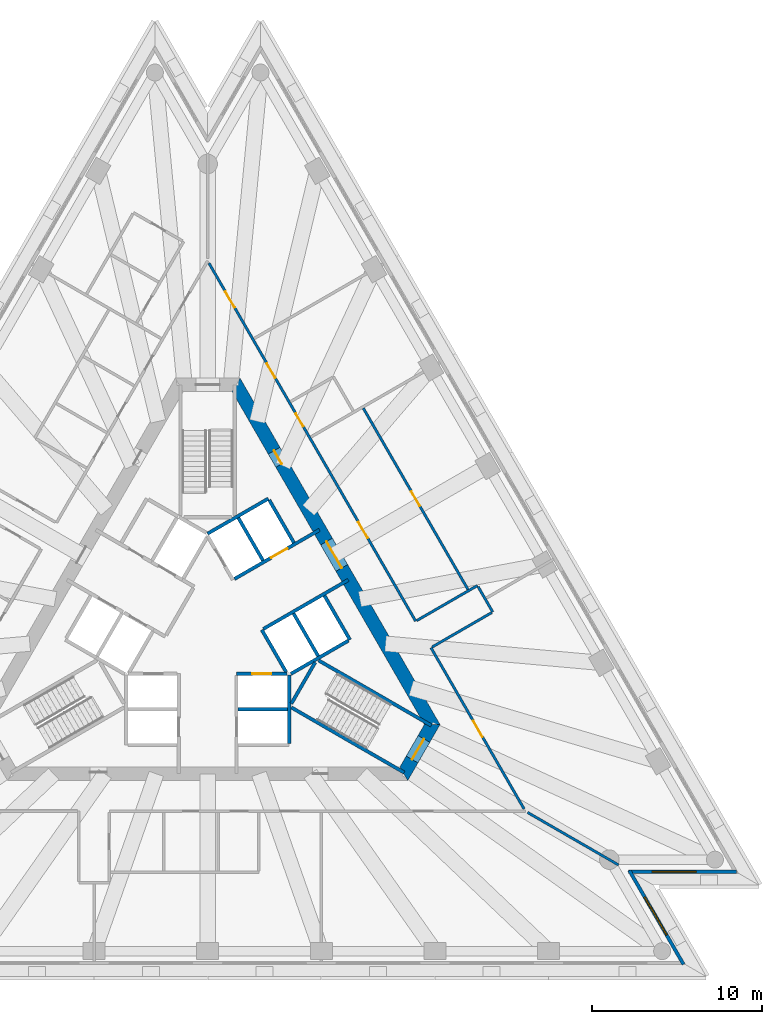
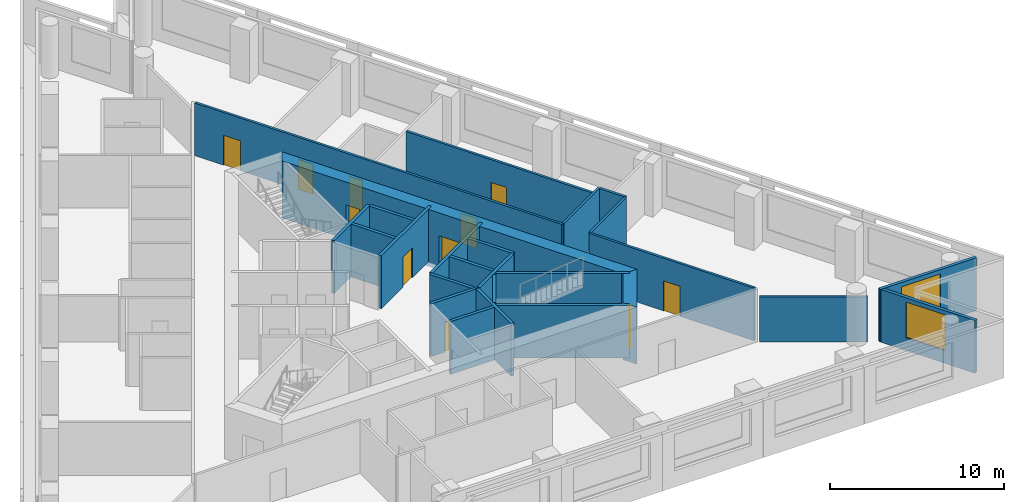
# One storey, part 5 of 9: 26 walls, 11 doors, 2 windows, 13 openings.
"""IFC4 building model written with IfcOpenShell, lengths in metres."""

from ifc_helpers import new_model, si_unit, direction, frame, frame_2d, origin, place, context, subcontext, project, spatial, polyline, rectangle, outline, extrude, material, layer, layer_set, layer_usage, type_object, element, fill, save


model = new_model("IFC4")

# Units and contexts
model_context = context("Model", 3, precision=1e-05, world=origin(), true_north=direction((0.0, 1.0)))
body_context = subcontext(model_context, "Body", "Model", "MODEL_VIEW")
ifc_project = project(units=[si_unit("LENGTHUNIT", "METRE"), si_unit("AREAUNIT", "SQUARE_METRE"), si_unit("VOLUMEUNIT", "CUBIC_METRE"), si_unit("PLANEANGLEUNIT", "RADIAN"), si_unit("MASSUNIT", "GRAM", prefix="KILO")], contexts=[model_context])

# Site, building, storey
site_placement = place(None, origin())
site = spatial("IfcSite", under=ifc_project, at=site_placement, CompositionType="ELEMENT")
building_placement = place(site_placement, origin())
building = spatial("IfcBuilding", under=site, at=building_placement, Name="Triada Interchange Tower", CompositionType="ELEMENT")
storey_placement = place(building_placement, frame((0.0, 0.0, 148.300048828125)))
storey = spatial("IfcBuildingStorey", under=building, at=storey_placement, Name="L34", CompositionType="ELEMENT", Elevation=148.300048828125)

# Wall
ifc_material_1 = material(Name="Concrete C30/37", Category="concrete")
ifc_layer_1 = layer(ifc_material_1, 0.199951171875)
ifc_layer_set_1 = layer_set([ifc_layer_1], Name="CORE WALL 200 EI 120")
wall_type_1 = type_object("IfcWallType", Name="CORE WALL 200 EI 120", PredefinedType="SOLIDWALL", material=ifc_layer_set_1)
wall_1_placement = place(storey_placement, frame((1.800048828125, -4.800048828125, 0.0), z_axis=(0.0, 0.0, 1.0), x_axis=(1.0, 0.0, 0.0)))
element("IfcWall", 1, at=wall_1_placement, inside=storey, type_object=wall_type_1, Name="Wall L32 49", PredefinedType="SOLIDWALL", context=body_context, shape_type="SweptSolid", body=[
    extrude(rectangle(XDim=2.89990234375, YDim=0.199951171875, at=frame_2d((1.449951171875, 0.0))), origin(), (0.0, 0.0, 1.0), 3.699951171875),
])

# Wall, opening, door
wall_2_placement = place(storey_placement, frame((1.702880859375, -2.699951171875, 0.0), z_axis=(0.0, 0.0, 1.0), x_axis=(1.0, 0.0, 0.0)))
wall_2 = element("IfcWall", 2, at=wall_2_placement, inside=storey, type_object=wall_type_1, Name="Wall L32 55", PredefinedType="SOLIDWALL", context=body_context, shape_type="SweptSolid", body=[
    extrude(rectangle(XDim=2.97314453125, YDim=0.199951171875, at=frame_2d((1.486572265625, 0.0))), origin(), (0.0, 0.0, 1.0), 3.699951171875),
])
opening_1_placement = place(wall_2_placement, frame((0.93603515625, 0.0, 0.0)))
opening_1 = element("IfcOpeningElement", 3, at=opening_1_placement, cuts=wall_2, Name="Opening LD-LR1", PredefinedType="OPENING", context=body_context, shape_type="SweptSolid", body=[
    extrude(rectangle(XDim=1.10009765625, YDim=2.10009765625, at=frame_2d((0.550048828125, 1.050048828125))), frame((0.0, 0.10986328125, 0.0), z_axis=(0.0, -1.0, 0.0), x_axis=(1.0, 0.0, 0.0)), (0.0, 0.0, 1.0), 0.219970703125),
])
ifc_material_2 = material(Name="Steel S235 door leaf", Category="steel")
door_type_1 = type_object("IfcDoorType", Name="LIFT LANDING DOOR 1100 EI 120", OperationType="SLIDING_TO_LEFT", PredefinedType="DOOR", material=ifc_material_2)
door_1_placement = place(opening_1_placement, origin())
door_1 = element("IfcDoor", 4, at=door_1_placement, inside=storey, type_object=door_type_1, Name="LR1 landing door L34", OperationType="SLIDING_TO_LEFT", OverallHeight=2.10009765625, OverallWidth=1.10009765625, PredefinedType="DOOR", context=body_context, shape_type="SweptSolid", body=[
    extrude(rectangle(XDim=1.10009765625, YDim=2.10009765625, at=frame_2d((0.550048828125, 1.050048828125))), frame((0.0, 0.02490234375, 0.0), z_axis=(0.0, -1.0, 0.0), x_axis=(1.0, 0.0, 0.0)), (0.0, 0.0, 1.0), 0.050048828125),
])
fill(opening_1, door_1)

# Walls
wall_3_placement = place(storey_placement, frame((-0.001953125, 5.5419921875, 0.0), z_axis=(0.0, 0.0, 1.0), x_axis=(0.866103910842, 0.499863997127, 0.0)))
element("IfcWall", 5, at=wall_3_placement, inside=storey, type_object=wall_type_1, Name="Wall L32 56", PredefinedType="SOLIDWALL", context=body_context, shape_type="SweptSolid", body=[
    extrude(rectangle(XDim=4.131103515625, YDim=0.199951171875, at=frame_2d((2.0654296875, 0.0))), origin(), (0.0, 0.0, 1.0), 3.699951171875),
])
wall_4_placement = place(storey_placement, frame((3.18994140625, -0.125, 0.0), z_axis=(0.0, 0.0, 1.0), x_axis=(0.499988658015, -0.866031951983, 0.0)))
element("IfcWall", 6, at=wall_4_placement, inside=storey, type_object=wall_type_1, Name="Wall L32 58", PredefinedType="SOLIDWALL", context=body_context, shape_type="SweptSolid", body=[
    extrude(rectangle(XDim=2.85791015625, YDim=0.199951171875, at=frame_2d((1.428955078125, 0.0))), origin(), (0.0, 0.0, 1.0), 3.699951171875),
])

# Wall, opening, door
wall_5_placement = place(storey_placement, frame((1.576904296875, 2.8740234375, 0.0), z_axis=(0.0, 0.0, 1.0), x_axis=(0.866073694534, 0.499916348638, 0.0)))
wall_5 = element("IfcWall", 7, at=wall_5_placement, inside=storey, type_object=wall_type_1, Name="Wall L32 59", PredefinedType="SOLIDWALL", context=body_context, shape_type="SweptSolid", body=[
    extrude(rectangle(XDim=5.77685546875, YDim=0.199951171875, at=frame_2d((2.888427734375, 0.0))), origin(), (0.0, 0.0, 1.0), 3.699951171875),
])
opening_2_placement = place(wall_5_placement, frame((2.4970703125, 0.0, 0.0)))
opening_2 = element("IfcOpeningElement", 8, at=opening_2_placement, cuts=wall_5, Name="Opening LD-LR6", PredefinedType="OPENING", context=body_context, shape_type="SweptSolid", body=[
    extrude(rectangle(XDim=1.10009765625, YDim=2.10009765625, at=frame_2d((0.550048828125, 1.050048828125))), frame((0.0, 0.10986328125, 0.0), z_axis=(0.0, -1.0, 0.0), x_axis=(1.0, 0.0, 0.0)), (0.0, 0.0, 1.0), 0.219970703125),
])
door_2_placement = place(opening_2_placement, origin())
door_2 = element("IfcDoor", 9, at=door_2_placement, inside=storey, type_object=door_type_1, Name="LR6 landing door L34", OperationType="SLIDING_TO_LEFT", OverallHeight=2.10009765625, OverallWidth=1.10009765625, PredefinedType="DOOR", context=body_context, shape_type="SweptSolid", body=[
    extrude(rectangle(XDim=1.10009765625, YDim=2.10009765625, at=frame_2d((0.550048828125, 1.050048828125))), frame((0.0, 0.02490234375, 0.0), z_axis=(0.0, -1.0, 0.0), x_axis=(1.0, 0.0, 0.0)), (0.0, 0.0, 1.0), 0.050048828125),
])
fill(opening_2, door_2)

# Walls
wall_6_placement = place(storey_placement, frame((3.278076171875, -0.071044921875, 0.0), z_axis=(0.0, 0.0, 1.0), x_axis=(0.865929348003, 0.5001663366, 0.0)))
element("IfcWall", 10, at=wall_6_placement, inside=storey, type_object=wall_type_1, Name="Wall L32 61", PredefinedType="SOLIDWALL", context=body_context, shape_type="SweptSolid", body=[
    extrude(rectangle(XDim=5.7763671875, YDim=0.199951171875, at=frame_2d((2.88818359375, 0.0))), origin(), (0.0, 0.0, 1.0), 3.699951171875),
])
wall_7_placement = place(storey_placement, frame((4.800048828125, -6.800048828125, 0.0), z_axis=(0.0, 0.0, 1.0), x_axis=(0.0, 1.0, 0.0)))
element("IfcWall", 11, at=wall_7_placement, inside=storey, type_object=wall_type_1, Name="Wall L32 62", PredefinedType="SOLIDWALL", context=body_context, shape_type="SweptSolid", body=[
    extrude(rectangle(XDim=4.029052734375, YDim=0.199951171875, at=frame_2d((2.0146484375, 0.0))), origin(), (0.0, 0.0, 1.0), 3.699951171875),
])
wall_8_placement = place(storey_placement, frame((3.6259765625, 7.52001953125, 0.0), z_axis=(0.0, 0.0, 1.0), x_axis=(0.500060147554, -0.865990674793, 0.0)))
element("IfcWall", 12, at=wall_8_placement, inside=storey, type_object=wall_type_1, Name="Wall L32 63", PredefinedType="SOLIDWALL", context=body_context, shape_type="SweptSolid", body=[
    extrude(rectangle(XDim=2.899658203125, YDim=0.199951171875, at=frame_2d((1.44970703125, 0.0))), origin(), (0.0, 0.0, 1.0), 3.699951171875),
])
wall_9_placement = place(storey_placement, frame((6.8759765625, 1.89111328125, 0.0), z_axis=(0.0, 0.0, 1.0), x_axis=(0.499990139034, -0.866031096941, 0.0)))
element("IfcWall", 13, at=wall_9_placement, inside=storey, type_object=wall_type_1, Name="Wall L32 64", PredefinedType="SOLIDWALL", context=body_context, shape_type="SweptSolid", body=[
    extrude(rectangle(XDim=3.0, YDim=0.199951171875, at=frame_2d((1.5, 0.0))), origin(), (0.0, 0.0, 1.0), 3.699951171875),
])
for number, where, z_axis, x_axis, name in (
    (14, (1.806884765625, 6.469970703125, 0.0), (0.0, 0.0, 1.0), (0.50012328804, -0.865954211699, 0.0), "Wall L32 65"),
    (15, (5.056884765625, 0.841064453125, 0.0), (0.0, 0.0, 1.0), (0.50012328804, -0.865954211699, 0.0), "Wall L32 66"),
):
    element("IfcWall", number, at=place(storey_placement, frame(where, z_axis=z_axis, x_axis=x_axis)), inside=storey, type_object=wall_type_1, Name=name, PredefinedType="SOLIDWALL", context=body_context, shape_type="SweptSolid", body=[
        extrude(rectangle(XDim=2.899658203125, YDim=0.199951171875, at=frame_2d((1.44970703125, 0.0))), origin(), (0.0, 0.0, 1.0), 3.699951171875),
    ])
wall_10_placement = place(storey_placement, frame((4.89990234375, -2.714111328125, 0.0), z_axis=(0.0, 0.0, 1.0), x_axis=(0.865992350556, 0.500057245502, 0.0)))
element("IfcWall", 16, at=wall_10_placement, inside=storey, type_object=wall_type_1, Name="Wall L32 67", PredefinedType="SOLIDWALL", context=body_context, shape_type="SweptSolid", body=[
    extrude(rectangle(XDim=3.91357421875, YDim=0.199951171875, at=frame_2d((1.956787109375, 0.0))), origin(), (0.0, 0.0, 1.0), 3.699951171875),
])
ifc_layer_2 = layer(ifc_material_1, 0.199951171875)
ifc_layer_set_2 = layer_set([ifc_layer_2], Name="CORE WALL 200 REI 240")
wall_type_2 = type_object("IfcWallType", Name="CORE WALL 200 REI 240", PredefinedType="SOLIDWALL", material=ifc_layer_set_2)
wall_11_placement = place(storey_placement, frame((4.928955078125, -4.693115234375, 0.0), z_axis=(0.0, 0.0, 1.0), x_axis=(0.866005769735, -0.50003400563, 0.0)))
element("IfcWall", 17, at=wall_11_placement, inside=storey, type_object=wall_type_2, Name="Wall L32 89", PredefinedType="SOLIDWALL", context=body_context, shape_type="SweptSolid", body=[
    extrude(rectangle(XDim=7.6650390625, YDim=0.199951171875, at=frame_2d((3.83251953125, 0.0))), origin(), (0.0, 0.0, 1.0), 3.699951171875),
])
wall_12_placement = place(storey_placement, frame((4.928955078125, -4.4619140625, 0.0), z_axis=(0.0, 0.0, 1.0), x_axis=(0.500200581029, 0.865909567298, 0.0)))
element("IfcWall", 18, at=wall_12_placement, inside=storey, type_object=wall_type_2, Name="Wall L32 90", PredefinedType="SOLIDWALL", context=body_context, shape_type="SweptSolid", body=[
    extrude(rectangle(XDim=2.799072265625, YDim=0.199951171875, at=frame_2d((1.3994140625, 0.0))), origin(), (0.0, 0.0, 1.0), 3.699951171875),
])
wall_13_placement = place(storey_placement, frame((6.529052734375, -1.922119140625, 0.0), z_axis=(0.0, 0.0, 1.0), x_axis=(0.866060938598, -0.499938446846, 0.0)))
element("IfcWall", 19, at=wall_13_placement, inside=storey, type_object=wall_type_2, Name="Wall L32 91", PredefinedType="SOLIDWALL", context=body_context, shape_type="SweptSolid", body=[
    extrude(rectangle(XDim=7.66455078125, YDim=0.199951171875, at=frame_2d((3.832275390625, 0.0))), origin(), (0.0, 0.0, 1.0), 3.699951171875),
])

# Wall, opening, door
ifc_material_3 = material(Name="Concrete C60/75", Category="concrete")
ifc_layer_3 = layer(ifc_material_3, 0.800048828125)
ifc_layer_set_3 = layer_set([ifc_layer_3], Name="Core wall B 800")
wall_type_3 = type_object("IfcWallType", Name="Core wall B 800", PredefinedType="SHEAR", material=ifc_layer_set_3)
wall_14_placement = place(storey_placement, frame((11.547119140625, -8.60009765625, -0.300048828125), z_axis=(0.0, 0.0, 1.0), x_axis=(0.49987182685, 0.866099391942, 0.0)))
wall_14 = element("IfcWall", 20, at=wall_14_placement, inside=storey, type_object=wall_type_3, Name="Core wall WB05 L34", PredefinedType="SHEAR", context=body_context, shape_type="SweptSolid", body=[
    extrude(outline(polyline([(-0.23095703125, -0.39990234375), (1.674072265625, -0.39990234375), (3.5791015625, -0.39990234375), (3.117919921875, 0.39990234375), (1.67431640625, 0.39990234375), (0.23095703125, 0.39990234375), (-0.23095703125, -0.39990234375)])), origin(), (0.0, 0.0, 1.0), 4.0),
])
opening_3_placement = place(wall_14_placement, frame((0.97412109375, 0.0, 0.300048828125)))
opening_3 = element("IfcOpeningElement", 21, at=opening_3_placement, cuts=wall_14, Name="Opening D32-37", PredefinedType="OPENING", context=body_context, shape_type="SweptSolid", body=[
    extrude(rectangle(XDim=1.39990234375, YDim=2.10009765625, at=frame_2d((0.699951171875, 1.050048828125))), frame((0.0, 0.409912109375, 0.0), z_axis=(0.0, -1.0, 0.0), x_axis=(1.0, 0.0, 0.0)), (0.0, 0.0, 1.0), 0.820068359375),
])
door_type_2 = type_object("IfcDoorType", Name="STAIR DOOR 1400 EI2 90-C5S200", OperationType="DOUBLE_DOOR_SINGLE_SWING", PredefinedType="DOOR", material=ifc_material_2)
door_3_placement = place(opening_3_placement, origin())
door_3 = element("IfcDoor", 22, at=door_3_placement, inside=storey, type_object=door_type_2, Name="Door D32-37 L34", OperationType="DOUBLE_DOOR_SINGLE_SWING", OverallHeight=2.10009765625, OverallWidth=1.39990234375, PredefinedType="DOOR", context=body_context, shape_type="SweptSolid", body=[
    extrude(rectangle(XDim=1.39990234375, YDim=2.10009765625, at=frame_2d((0.699951171875, 1.050048828125))), frame((0.0, 0.02490234375, 0.0), z_axis=(0.0, -1.0, 0.0), x_axis=(1.0, 0.0, 0.0)), (0.0, 0.0, 1.0), 0.050048828125),
])
fill(opening_3, door_3)

# Wall, openings, doors
wall_15_placement = place(storey_placement, frame((13.220947265625, -5.699951171875, -0.300048828125), z_axis=(0.0, 0.0, 1.0), x_axis=(-0.499995765644, 0.866027848477, 0.0)))
wall_15 = element("IfcWall", 23, at=wall_15_placement, inside=storey, type_object=wall_type_3, Name="Core wall WB06 L34", PredefinedType="SHEAR", context=body_context, shape_type="SweptSolid", body=[
    extrude(outline(polyline([(-0.23095703125, -0.39990234375), (1.73193359375, -0.39990234375), (3.695068359375, -0.39990234375), (5.657958984375, -0.39990234375), (7.62109375, -0.39990234375), (9.583984375, -0.39990234375), (11.546875, -0.39990234375), (13.510009765625, -0.39990234375), (15.472900390625, -0.39990234375), (17.43603515625, -0.39990234375), (19.39892578125, -0.39990234375), (21.362060546875, -0.39990234375), (23.324951171875, -0.39990234375), (22.863037109375, 0.39990234375), (20.97705078125, 0.39990234375), (19.091064453125, 0.39990234375), (17.205078125, 0.39990234375), (15.319091796875, 0.39990234375), (13.43310546875, 0.39990234375), (11.546875, 0.39990234375), (9.660888671875, 0.39990234375), (7.77490234375, 0.39990234375), (5.888916015625, 0.39990234375), (4.0029296875, 0.39990234375), (2.116943359375, 0.39990234375), (0.23095703125, 0.39990234375), (-0.23095703125, -0.39990234375)])), origin(), (0.0, 0.0, 1.0), 4.0),
])
opening_4_placement = place(wall_15_placement, frame((10.64697265625, 0.0, 0.300048828125)))
opening_4 = element("IfcOpeningElement", 24, at=opening_4_placement, cuts=wall_15, Name="Opening D32-34", PredefinedType="OPENING", context=body_context, shape_type="SweptSolid", body=[
    extrude(rectangle(XDim=1.800048828125, YDim=2.10009765625, at=frame_2d((0.89990234375, 1.050048828125))), frame((0.0, 0.409912109375, 0.0), z_axis=(0.0, -1.0, 0.0), x_axis=(1.0, 0.0, 0.0)), (0.0, 0.0, 1.0), 0.820068359375),
])
opening_5_placement = place(wall_15_placement, frame((17.720947265625, 0.0, 0.300048828125)))
opening_5 = element("IfcOpeningElement", 25, at=opening_5_placement, cuts=wall_15, Name="Opening D32-41", PredefinedType="OPENING", context=body_context, shape_type="SweptSolid", body=[
    extrude(rectangle(XDim=0.89990234375, YDim=2.10009765625, at=frame_2d((0.449951171875, 1.050048828125))), frame((0.0, 0.409912109375, 0.0), z_axis=(0.0, -1.0, 0.0), x_axis=(1.0, 0.0, 0.0)), (0.0, 0.0, 1.0), 0.820068359375),
])
door_type_3 = type_object("IfcDoorType", Name="LOBBY DOOR 1800 EI2 90-C5S200", OperationType="DOUBLE_DOOR_SINGLE_SWING", PredefinedType="DOOR", material=ifc_material_2)
door_4_placement = place(opening_4_placement, origin())
door_4 = element("IfcDoor", 26, at=door_4_placement, inside=storey, type_object=door_type_3, Name="Door D32-34 L34", OperationType="DOUBLE_DOOR_SINGLE_SWING", OverallHeight=2.10009765625, OverallWidth=1.800048828125, PredefinedType="DOOR", context=body_context, shape_type="SweptSolid", body=[
    extrude(rectangle(XDim=1.800048828125, YDim=2.10009765625, at=frame_2d((0.89990234375, 1.050048828125))), frame((0.0, 0.02490234375, 0.0), z_axis=(0.0, -1.0, 0.0), x_axis=(1.0, 0.0, 0.0)), (0.0, 0.0, 1.0), 0.050048828125),
])
fill(opening_4, door_4)
door_type_4 = type_object("IfcDoorType", Name="SERVICE DOOR 900 EI2 45-C5S200", OperationType="NOTDEFINED", PredefinedType="DOOR", material=ifc_material_2)
door_5_placement = place(opening_5_placement, origin())
door_5 = element("IfcDoor", 27, at=door_5_placement, inside=storey, type_object=door_type_4, Name="Door D32-41 L34", OperationType="SINGLE_SWING_RIGHT", OverallHeight=2.10009765625, OverallWidth=0.89990234375, PredefinedType="DOOR", context=body_context, shape_type="SweptSolid", body=[
    extrude(rectangle(XDim=0.89990234375, YDim=2.10009765625, at=frame_2d((0.449951171875, 1.050048828125))), frame((0.0, 0.02490234375, 0.0), z_axis=(0.0, -1.0, 0.0), x_axis=(1.0, 0.0, 0.0)), (0.0, 0.0, 1.0), 0.050048828125),
])
fill(opening_5, door_5)

# Wall, opening, window
ifc_material_4 = material(Name="Cement board")
ifc_layer_4 = layer(ifc_material_4, 0.02001953125, Name="Cement board cladding")
ifc_material_5 = material(Name="Sheathing board")
ifc_layer_5 = layer(ifc_material_5, 0.014892578125, Name="Sheathing board")
ifc_material_6 = material(Name="Mineral wool")
ifc_layer_6 = layer(ifc_material_6, 0.14990234375, Name="Mineral wool between steel studs")
ifc_material_7 = material(Name="Gypsum board")
ifc_layer_7 = layer(ifc_material_7, 0.014892578125, Name="Plasterboard lining")
ifc_layer_set_4 = layer_set([ifc_layer_4, ifc_layer_5, ifc_layer_6, ifc_layer_7], Name="External wall 200")
ifc_layer_usage = layer_usage(ifc_layer_set_4, "AXIS2", "POSITIVE", -0.10009765625)
wall_type_4 = type_object("IfcWallType", Name="External wall 200", PredefinedType="ELEMENTEDWALL", material=ifc_layer_set_4)
wall_16_placement = place(storey_placement, frame((28.01806640625, -19.81689453125, 0.0), z_axis=(0.0, 0.0, 1.0), x_axis=(-0.499919089554, 0.866072112413, 0.0)))
wall_16 = element("IfcWall", 28, at=wall_16_placement, inside=storey, type_object=wall_type_4, material=ifc_layer_usage, Name="External wall L34 SE-1", PredefinedType="ELEMENTEDWALL", context=body_context, shape_type="SweptSolid", body=[
    extrude(rectangle(XDim=6.376953125, YDim=0.199951171875, at=frame_2d((3.1884765625, 0.0))), origin(), (0.0, 0.0, 1.0), 3.699951171875),
])
opening_6_placement = place(wall_16_placement, frame((1.989990234375, 0.0, 0.89990234375)))
opening_6 = element("IfcOpeningElement", 29, at=opening_6_placement, cuts=wall_16, Name="Opening WB19", PredefinedType="OPENING", context=body_context, shape_type="SweptSolid", body=[
    extrude(rectangle(XDim=2.60009765625, YDim=2.5, at=frame_2d((1.300048828125, 1.25))), frame((0.0, 0.10986328125, 0.0), z_axis=(0.0, -1.0, 0.0), x_axis=(1.0, 0.0, 0.0)), (0.0, 0.0, 1.0), 0.219970703125),
])
ifc_material_8 = material(Name="Double glazed aluminium window", Category="aluminium")
window_type = type_object("IfcWindowType", Name="Ribbon window B pocket", PartitioningType="SINGLE_PANEL", PredefinedType="WINDOW", material=ifc_material_8)
window_1_placement = place(opening_6_placement, origin())
window_1 = element("IfcWindow", 30, at=window_1_placement, inside=storey, type_object=window_type, Name="Window L34 SE-1 1", OverallHeight=2.5, OverallWidth=2.60009765625, PartitioningType="SINGLE_PANEL", PredefinedType="WINDOW", context=body_context, shape_type="SweptSolid", body=[
    extrude(rectangle(XDim=2.60009765625, YDim=2.5, at=frame_2d((1.300048828125, 1.25))), frame((0.0, 0.030029296875, 0.0), z_axis=(0.0, -1.0, 0.0), x_axis=(1.0, 0.0, 0.0)), (0.0, 0.0, 1.0), 0.06005859375),
])
fill(opening_6, window_1)

wall_17_placement = place(storey_placement, frame((24.77490234375, -14.35498046875, 0.0), z_axis=(0.0, 0.0, 1.0), x_axis=(1.0, 0.0, 0.0)))
wall_17 = element("IfcWall", 31, at=wall_17_placement, inside=storey, type_object=wall_type_4, material=ifc_layer_usage, Name="External wall L34 SE-2", PredefinedType="ELEMENTEDWALL", context=body_context, shape_type="SweptSolid", body=[
    extrude(rectangle(XDim=6.3759765625, YDim=0.199951171875, at=frame_2d((3.18798828125, 0.0))), origin(), (0.0, 0.0, 1.0), 3.699951171875),
])
opening_7_placement = place(wall_17_placement, frame((1.389892578125, 0.0, 0.89990234375)))
opening_7 = element("IfcOpeningElement", 32, at=opening_7_placement, cuts=wall_17, Name="Opening WB20", PredefinedType="OPENING", context=body_context, shape_type="SweptSolid", body=[
    extrude(rectangle(XDim=2.60009765625, YDim=2.5, at=frame_2d((1.300048828125, 1.25))), frame((0.0, 0.10986328125, 0.0), z_axis=(0.0, -1.0, 0.0), x_axis=(1.0, 0.0, 0.0)), (0.0, 0.0, 1.0), 0.219970703125),
])
window_2_placement = place(opening_7_placement, origin())
window_2 = element("IfcWindow", 33, at=window_2_placement, inside=storey, type_object=window_type, Name="Window L34 SE-2 1", OverallHeight=2.5, OverallWidth=2.60009765625, PartitioningType="SINGLE_PANEL", PredefinedType="WINDOW", context=body_context, shape_type="SweptSolid", body=[
    extrude(rectangle(XDim=2.60009765625, YDim=2.5, at=frame_2d((1.300048828125, 1.25))), frame((0.0, 0.030029296875, 0.0), z_axis=(0.0, -1.0, 0.0), x_axis=(1.0, 0.0, 0.0)), (0.0, 0.0, 1.0), 0.06005859375),
])
fill(opening_7, window_2)

# Wall
ifc_material_9 = material(Name="Gypsum board partition")
ifc_layer_8 = layer(ifc_material_9, 0.14990234375)
ifc_layer_set_5 = layer_set([ifc_layer_8], Name="PARTITION 150 EI 180")
wall_type_5 = type_object("IfcWallType", Name="PARTITION 150 EI 180", PredefinedType="PARTITIONING", material=ifc_layer_set_5)
wall_18_placement = place(storey_placement, frame((18.8359375, -10.8740234375, 0.0), z_axis=(0.0, 0.0, 1.0), x_axis=(0.865990889316, -0.500059776048, 0.0)))
element("IfcWall", 34, at=wall_18_placement, inside=storey, type_object=wall_type_5, Name="Wall L32 10", PredefinedType="PARTITIONING", context=body_context, shape_type="SweptSolid", body=[
    extrude(rectangle(XDim=6.181396484375, YDim=0.14990234375, at=frame_2d((3.0908203125, 0.0))), origin(), (0.0, 0.0, 1.0), 3.14990234375),
])

# Wall, openings, doors
wall_19_placement = place(storey_placement, frame((0.075927734375, 21.468017578125, 0.0), z_axis=(0.0, 0.0, 1.0), x_axis=(0.499999691263, -0.866025582034, 0.0)))
wall_19 = element("IfcWall", 35, at=wall_19_placement, inside=storey, type_object=wall_type_5, Name="Wall L32 28", PredefinedType="PARTITIONING", context=body_context, shape_type="SweptSolid", body=[
    extrude(rectangle(XDim=24.34228515625, YDim=0.14990234375, at=frame_2d((12.171142578125, 0.0))), origin(), (0.0, 0.0, 1.0), 3.699951171875),
])
opening_8_placement = place(wall_19_placement, frame((17.593994140625, 0.0, 0.0)))
opening_8 = element("IfcOpeningElement", 36, at=opening_8_placement, cuts=wall_19, Name="Opening D32-18", PredefinedType="OPENING", context=body_context, shape_type="SweptSolid", body=[
    extrude(rectangle(XDim=1.10009765625, YDim=2.10009765625, at=frame_2d((0.550048828125, 1.050048828125))), frame((0.0, 0.0849609375, 0.0), z_axis=(0.0, -1.0, 0.0), x_axis=(1.0, 0.0, 0.0)), (0.0, 0.0, 1.0), 0.169921875),
])
opening_9_placement = place(wall_19_placement, frame((6.81396484375, 0.0, 0.0)))
opening_9 = element("IfcOpeningElement", 37, at=opening_9_placement, cuts=wall_19, Name="Opening D32-20", PredefinedType="OPENING", context=body_context, shape_type="SweptSolid", body=[
    extrude(rectangle(XDim=1.0, YDim=2.10009765625, at=frame_2d((0.5, 1.050048828125))), frame((0.0, 0.0849609375, 0.0), z_axis=(0.0, -1.0, 0.0), x_axis=(1.0, 0.0, 0.0)), (0.0, 0.0, 1.0), 0.169921875),
])
opening_10_placement = place(wall_19_placement, frame((10.214111328125, 0.0, 0.0)))
opening_10 = element("IfcOpeningElement", 38, at=opening_10_placement, cuts=wall_19, Name="Opening D32-21", PredefinedType="OPENING", context=body_context, shape_type="SweptSolid", body=[
    extrude(rectangle(XDim=0.89990234375, YDim=2.10009765625, at=frame_2d((0.449951171875, 1.050048828125))), frame((0.0, 0.0849609375, 0.0), z_axis=(0.0, -1.0, 0.0), x_axis=(1.0, 0.0, 0.0)), (0.0, 0.0, 1.0), 0.169921875),
])
opening_11_placement = place(wall_19_placement, frame((1.924072265625, 0.0, 0.0)))
opening_11 = element("IfcOpeningElement", 39, at=opening_11_placement, cuts=wall_19, Name="Opening D32-22", PredefinedType="OPENING", context=body_context, shape_type="SweptSolid", body=[
    extrude(rectangle(XDim=1.10009765625, YDim=2.10009765625, at=frame_2d((0.550048828125, 1.050048828125))), frame((0.0, 0.0849609375, 0.0), z_axis=(0.0, -1.0, 0.0), x_axis=(1.0, 0.0, 0.0)), (0.0, 0.0, 1.0), 0.169921875),
])
door_type_5 = type_object("IfcDoorType", Name="ROOM DOOR 1000 EI2 90-C5S200", OperationType="NOTDEFINED", PredefinedType="DOOR", material=ifc_material_2)
door_6_placement = place(opening_9_placement, origin())
door_6 = element("IfcDoor", 40, at=door_6_placement, inside=storey, type_object=door_type_5, Name="Door D32-20 L34", OperationType="SINGLE_SWING_RIGHT", OverallHeight=2.10009765625, OverallWidth=1.0, PredefinedType="DOOR", context=body_context, shape_type="SweptSolid", body=[
    extrude(rectangle(XDim=1.0, YDim=2.10009765625, at=frame_2d((0.5, 1.050048828125))), frame((0.0, 0.02490234375, 0.0), z_axis=(0.0, -1.0, 0.0), x_axis=(1.0, 0.0, 0.0)), (0.0, 0.0, 1.0), 0.050048828125),
])
fill(opening_9, door_6)
door_type_6 = type_object("IfcDoorType", Name="SERVICE DOOR 900 EI2 90-C5S200", OperationType="NOTDEFINED", PredefinedType="DOOR", material=ifc_material_2)
door_7_placement = place(opening_10_placement, origin())
door_7 = element("IfcDoor", 41, at=door_7_placement, inside=storey, type_object=door_type_6, Name="Door D32-21 L34", OperationType="SINGLE_SWING_LEFT", OverallHeight=2.10009765625, OverallWidth=0.89990234375, PredefinedType="DOOR", context=body_context, shape_type="SweptSolid", body=[
    extrude(rectangle(XDim=0.89990234375, YDim=2.10009765625, at=frame_2d((0.449951171875, 1.050048828125))), frame((0.0, 0.02490234375, 0.0), z_axis=(0.0, -1.0, 0.0), x_axis=(1.0, 0.0, 0.0)), (0.0, 0.0, 1.0), 0.050048828125),
])
fill(opening_10, door_7)
door_type_7 = type_object("IfcDoorType", Name="TENANCY ENTRANCE DOOR 1100 EI2 90-C5S200", OperationType="NOTDEFINED", PredefinedType="DOOR", material=ifc_material_2)
door_8_placement = place(opening_8_placement, origin())
door_8 = element("IfcDoor", 42, at=door_8_placement, inside=storey, type_object=door_type_7, Name="Door D32-18 L34", OperationType="SINGLE_SWING_LEFT", OverallHeight=2.10009765625, OverallWidth=1.10009765625, PredefinedType="DOOR", context=body_context, shape_type="SweptSolid", body=[
    extrude(rectangle(XDim=1.10009765625, YDim=2.10009765625, at=frame_2d((0.550048828125, 1.050048828125))), frame((0.0, 0.02490234375, 0.0), z_axis=(0.0, -1.0, 0.0), x_axis=(1.0, 0.0, 0.0)), (0.0, 0.0, 1.0), 0.050048828125),
])
fill(opening_8, door_8)
door_9_placement = place(opening_11_placement, origin())
door_9 = element("IfcDoor", 43, at=door_9_placement, inside=storey, type_object=door_type_7, Name="Door D32-22 L34", OperationType="SINGLE_SWING_LEFT", OverallHeight=2.10009765625, OverallWidth=1.10009765625, PredefinedType="DOOR", context=body_context, shape_type="SweptSolid", body=[
    extrude(rectangle(XDim=1.10009765625, YDim=2.10009765625, at=frame_2d((0.550048828125, 1.050048828125))), frame((0.0, 0.02490234375, 0.0), z_axis=(0.0, -1.0, 0.0), x_axis=(1.0, 0.0, 0.0)), (0.0, 0.0, 1.0), 0.050048828125),
])
fill(opening_11, door_9)

# Wall, opening, door
wall_20_placement = place(storey_placement, frame((13.14794921875, -1.174072265625, 0.0), z_axis=(0.0, 0.0, 1.0), x_axis=(0.500088017957, -0.865974580629, 0.0)))
wall_20 = element("IfcWall", 44, at=wall_20_placement, inside=storey, type_object=wall_type_5, Name="Wall L32 29", PredefinedType="PARTITIONING", context=body_context, shape_type="SweptSolid", body=[
    extrude(rectangle(XDim=10.96435546875, YDim=0.14990234375, at=frame_2d((5.482177734375, 0.0))), origin(), (0.0, 0.0, 1.0), 3.699951171875),
])
opening_12_placement = place(wall_20_placement, frame((4.964111328125, 0.0, 0.0)))
opening_12 = element("IfcOpeningElement", 45, at=opening_12_placement, cuts=wall_20, Name="Opening D32-17", PredefinedType="OPENING", context=body_context, shape_type="SweptSolid", body=[
    extrude(rectangle(XDim=1.10009765625, YDim=2.10009765625, at=frame_2d((0.550048828125, 1.050048828125))), frame((0.0, 0.0849609375, 0.0), z_axis=(0.0, -1.0, 0.0), x_axis=(1.0, 0.0, 0.0)), (0.0, 0.0, 1.0), 0.169921875),
])
door_10_placement = place(opening_12_placement, origin())
door_10 = element("IfcDoor", 46, at=door_10_placement, inside=storey, type_object=door_type_7, Name="Door D32-17 L34", OperationType="SINGLE_SWING_RIGHT", OverallHeight=2.10009765625, OverallWidth=1.10009765625, PredefinedType="DOOR", context=body_context, shape_type="SweptSolid", body=[
    extrude(rectangle(XDim=1.10009765625, YDim=2.10009765625, at=frame_2d((0.550048828125, 1.050048828125))), frame((0.0, 0.02490234375, 0.0), z_axis=(0.0, -1.0, 0.0), x_axis=(1.0, 0.0, 0.0)), (0.0, 0.0, 1.0), 0.050048828125),
])
fill(opening_12, door_10)

# Walls
wall_21_placement = place(storey_placement, frame((12.31396484375, 0.424072265625, 0.0), z_axis=(0.0, 0.0, 1.0), x_axis=(0.865997263264, 0.500048737644, 0.0)))
element("IfcWall", 47, at=wall_21_placement, inside=storey, type_object=wall_type_5, Name="Wall L32 36", PredefinedType="PARTITIONING", context=body_context, shape_type="SweptSolid", body=[
    extrude(rectangle(XDim=4.12353515625, YDim=0.14990234375, at=frame_2d((2.061767578125, 0.0))), origin(), (0.0, 0.0, 1.0), 3.699951171875),
])
wall_22_placement = place(storey_placement, frame((15.923095703125, 2.4208984375, 0.0), z_axis=(0.0, 0.0, 1.0), x_axis=(0.499702028684, -0.866197369269, 0.0)))
element("IfcWall", 48, at=wall_22_placement, inside=storey, type_object=wall_type_5, Name="Wall L32 37", PredefinedType="PARTITIONING", context=body_context, shape_type="SweptSolid", body=[
    extrude(rectangle(XDim=1.724609375, YDim=0.14990234375, at=frame_2d((0.8623046875, 0.0))), origin(), (0.0, 0.0, 1.0), 3.699951171875),
])
wall_23_placement = place(storey_placement, frame((13.214111328125, -1.135009765625, 0.0), z_axis=(0.0, 0.0, 1.0), x_axis=(0.865940524948, 0.500146985649, 0.0)))
element("IfcWall", 49, at=wall_23_placement, inside=storey, type_object=wall_type_5, Name="Wall L32 40", PredefinedType="PARTITIONING", context=body_context, shape_type="SweptSolid", body=[
    extrude(rectangle(XDim=4.048583984375, YDim=0.14990234375, at=frame_2d((2.0244140625, 0.0))), origin(), (0.0, 0.0, 1.0), 3.699951171875),
])

# Wall, opening, door
ifc_layer_9 = layer(ifc_material_9, 0.14990234375)
ifc_layer_set_6 = layer_set([ifc_layer_9], Name="PARTITION 150 EI 90")
wall_type_6 = type_object("IfcWallType", Name="PARTITION 150 EI 90", PredefinedType="PARTITIONING", material=ifc_layer_set_6)
wall_24_placement = place(storey_placement, frame((9.1630859375, 12.928955078125, 0.0), z_axis=(0.0, 0.0, 1.0), x_axis=(0.499991554064, -0.866030279993, 0.0)))
wall_24 = element("IfcWall", 50, at=wall_24_placement, inside=storey, type_object=wall_type_6, Name="Wall L32 45", PredefinedType="PARTITIONING", context=body_context, shape_type="SweptSolid", body=[
    extrude(rectangle(XDim=12.329833984375, YDim=0.14990234375, at=frame_2d((6.1650390625, 0.0))), origin(), (0.0, 0.0, 1.0), 3.699951171875),
])
opening_13_placement = place(wall_24_placement, frame((5.655029296875, 0.0, 0.0)))
opening_13 = element("IfcOpeningElement", 51, at=opening_13_placement, cuts=wall_24, Name="Opening D32-19", PredefinedType="OPENING", context=body_context, shape_type="SweptSolid", body=[
    extrude(rectangle(XDim=1.0, YDim=2.10009765625, at=frame_2d((0.5, 1.050048828125))), frame((0.0, 0.0849609375, 0.0), z_axis=(0.0, -1.0, 0.0), x_axis=(1.0, 0.0, 0.0)), (0.0, 0.0, 1.0), 0.169921875),
])
door_type_8 = type_object("IfcDoorType", Name="ROOM DOOR 1000 EI2 45-C5S200", OperationType="NOTDEFINED", PredefinedType="DOOR", material=ifc_material_2)
door_11_placement = place(opening_13_placement, origin())
door_11 = element("IfcDoor", 52, at=door_11_placement, inside=storey, type_object=door_type_8, Name="Door D32-19 L34", OperationType="SINGLE_SWING_RIGHT", OverallHeight=2.10009765625, OverallWidth=1.0, PredefinedType="DOOR", context=body_context, shape_type="SweptSolid", body=[
    extrude(rectangle(XDim=1.0, YDim=2.10009765625, at=frame_2d((0.5, 1.050048828125))), frame((0.0, 0.02490234375, 0.0), z_axis=(0.0, -1.0, 0.0), x_axis=(1.0, 0.0, 0.0)), (0.0, 0.0, 1.0), 0.050048828125),
])
fill(opening_13, door_11)

save(model, "model.ifc")
